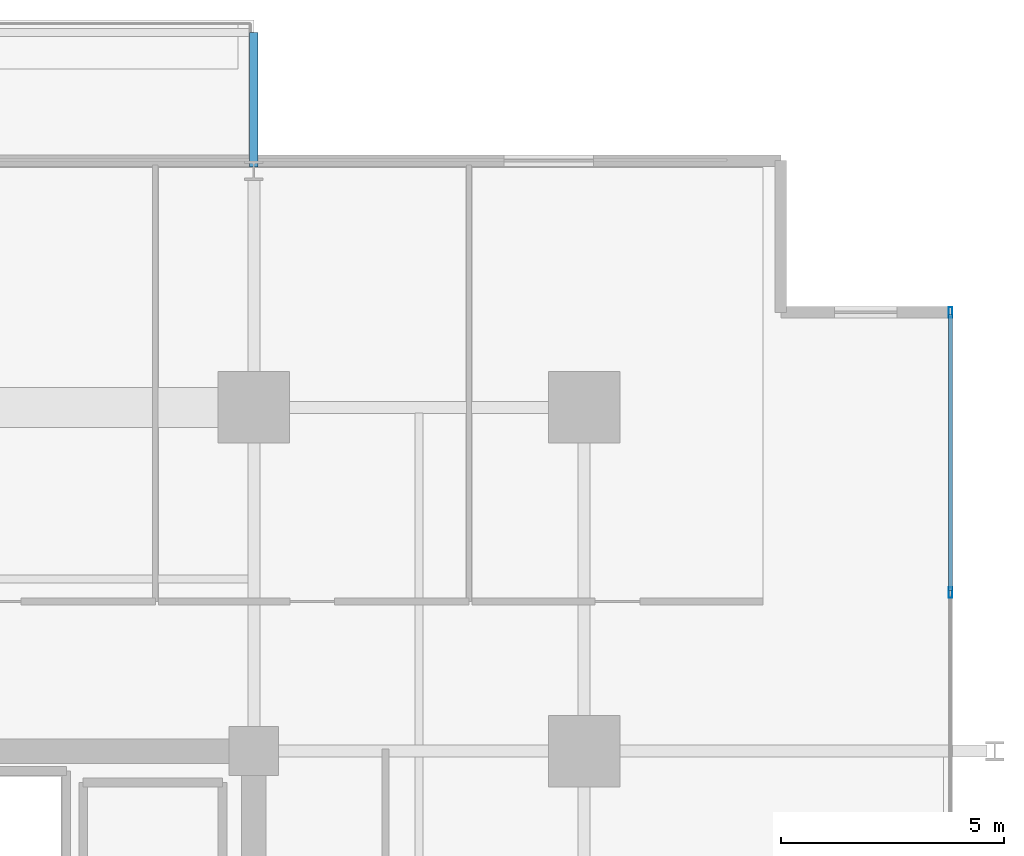
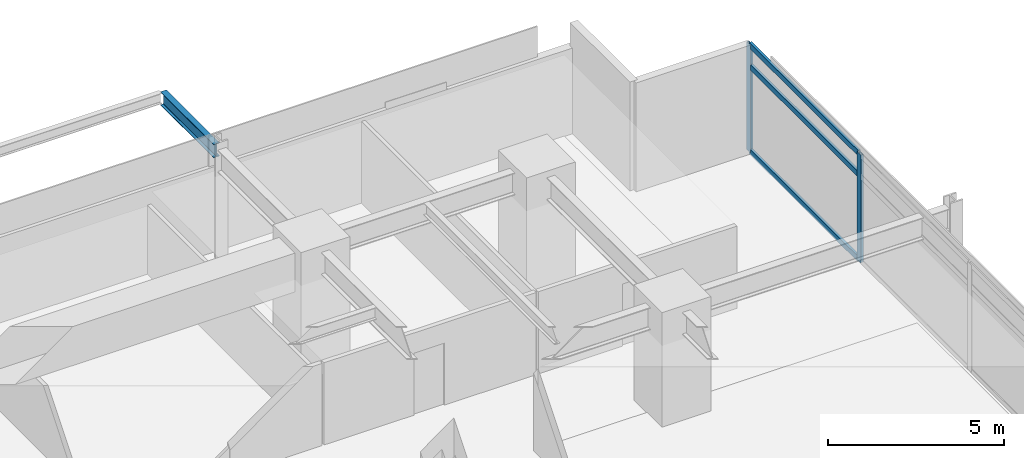
# One storey, part 12 of 21: 5 members, 1 beam, 1 element without a shape of its own.
"""IFC4 building model written with IfcOpenShell, lengths in metres."""

from ifc_helpers import new_model, si_unit, direction, frame, origin, origin_2d, place, context, subcontext, project, spatial, hollow_rectangle, i_section, extrude, material, material_profile, profile_set, type_object, element, aggregate, save


model = new_model("IFC4")

# Units and contexts
model_context = context("Model", 3, precision=1e-05, world=origin(), true_north=direction((0.0, 1.0)))
body_context = subcontext(model_context, "Body", "Model", "MODEL_VIEW")
ifc_project = project(units=[si_unit("LENGTHUNIT", "METRE"), si_unit("AREAUNIT", "SQUARE_METRE"), si_unit("VOLUMEUNIT", "CUBIC_METRE"), si_unit("PLANEANGLEUNIT", "RADIAN"), si_unit("MASSUNIT", "GRAM", prefix="KILO")], contexts=[model_context])

# Site, building, storey
site_placement = place(None, origin())
site = spatial("IfcSite", under=ifc_project, at=site_placement, CompositionType="ELEMENT")
building_placement = place(site_placement, origin())
building = spatial("IfcBuilding", under=site, at=building_placement, Name="Kovane Verandah Tower", CompositionType="ELEMENT")
storey_placement = place(building_placement, frame((0.0, 0.0, 152.39990234375)))
storey = spatial("IfcBuildingStorey", under=building, at=storey_placement, Name="L35", CompositionType="ELEMENT", Elevation=152.39990234375)

# Curtain wall, members
ifc_material_1 = material(Name="Champagne Anodised Aluminium Frame with Low-E Clear Laminated Glass", Category="aluminium")
curtain_wall_type = type_object("IfcCurtainWallType", Name="CW-SYS-03-MID", PredefinedType="NOTDEFINED", material=ifc_material_1)
curtain_wall_placement = place(storey_placement, origin())
curtain_wall = element("IfcCurtainWall", 1, at=curtain_wall_placement, inside=storey, type_object=curtain_wall_type, Name="L35 E Unitised Curtain Wall", PredefinedType="NOTDEFINED")
ifc_material_2 = material(Name="Champagne Anodised Aluminium 6063-T6", Category="aluminium")
ifc_material_profile_1 = material_profile(ifc_material_2, hollow_rectangle(XDim=0.0849609375, YDim=0.22998046875, WallThickness=0.00390625, at=origin_2d()), Name="AL85x230x4")
ifc_profile_set_1 = profile_set([ifc_material_profile_1], Name="Champagne Anodised Aluminium 6063-T6")
member_type_1 = type_object("IfcMemberType", Name="CW-MUL-85x230", PredefinedType="MULLION", material=ifc_profile_set_1)
member_1_placement = place(storey_placement, frame((66.60595703125, 40.051513671875, 0.02001953125), z_axis=(0.0, 0.0, 1.0), x_axis=(1.0, 0.0, 0.0)))
member_1 = element("IfcMember", 2, at=member_1_placement, type_object=member_type_1, Name="L35 E Unitised Curtain Wall Mullion 6", PredefinedType="MULLION", context=body_context, shape_type="SweptSolid", body=[
    extrude(hollow_rectangle(XDim=0.0849609375, YDim=0.22998046875, WallThickness=0.00390625, at=origin_2d()), origin(), (0.0, 0.0, 1.0), 3.735107421875),
])
member_2_placement = place(storey_placement, frame((66.60595703125, 46.3271484375, 0.02001953125), z_axis=(0.0, 0.0, 1.0), x_axis=(1.0, 0.0, 0.0)))
member_2 = element("IfcMember", 3, at=member_2_placement, type_object=member_type_1, Name="L35 E Unitised Curtain Wall Mullion 7", PredefinedType="MULLION", context=body_context, shape_type="SweptSolid", body=[
    extrude(hollow_rectangle(XDim=0.0849609375, YDim=0.22998046875, WallThickness=0.00390625, at=origin_2d()), origin(), (0.0, 0.0, 1.0), 3.735107421875),
])
ifc_material_profile_2 = material_profile(ifc_material_2, hollow_rectangle(XDim=0.0849609375, YDim=0.18994140625, WallThickness=0.00390625, at=origin_2d()), Name="AL85x190x4")
ifc_profile_set_2 = profile_set([ifc_material_profile_2], Name="Champagne Anodised Aluminium 6063-T6")
member_type_2 = type_object("IfcMemberType", Name="CW-TRN-85x190", PredefinedType="USERDEFINED", material=ifc_profile_set_2)
member_3_placement = place(storey_placement, frame((66.60595703125, 40.1015625, 0.050048828125), z_axis=(0.0, 1.0, 0.0), x_axis=(-1.0, 0.0, 0.0)))
member_3 = element("IfcMember", 4, at=member_3_placement, type_object=member_type_2, Name="L35 E Unitised Curtain Wall Transom TB Bay 6", ObjectType="TRANSOM", PredefinedType="USERDEFINED", context=body_context, shape_type="SweptSolid", body=[
    extrude(hollow_rectangle(XDim=0.0849609375, YDim=0.18994140625, WallThickness=0.00390625, at=origin_2d()), origin(), (0.0, 0.0, 1.0), 6.175537109375),
])
member_4_placement = place(storey_placement, frame((66.60595703125, 40.1015625, 2.9951171875), z_axis=(0.0, 1.0, 0.0), x_axis=(-1.0, 0.0, 0.0)))
member_4 = element("IfcMember", 5, at=member_4_placement, type_object=member_type_2, Name="L35 E Unitised Curtain Wall Transom TM Bay 6", ObjectType="TRANSOM", PredefinedType="USERDEFINED", context=body_context, shape_type="SweptSolid", body=[
    extrude(hollow_rectangle(XDim=0.0849609375, YDim=0.18994140625, WallThickness=0.00390625, at=origin_2d()), origin(), (0.0, 0.0, 1.0), 6.175537109375),
])
member_5_placement = place(storey_placement, frame((66.60595703125, 40.1015625, 3.72509765625), z_axis=(0.0, 1.0, 0.0), x_axis=(-1.0, 0.0, 0.0)))
member_5 = element("IfcMember", 6, at=member_5_placement, type_object=member_type_2, Name="L35 E Unitised Curtain Wall Transom TT Bay 6", ObjectType="TRANSOM", PredefinedType="USERDEFINED", context=body_context, shape_type="SweptSolid", body=[
    extrude(hollow_rectangle(XDim=0.0849609375, YDim=0.18994140625, WallThickness=0.00390625, at=origin_2d()), origin(), (0.0, 0.0, 1.0), 6.175537109375),
])
aggregate(curtain_wall, [member_1, member_2, member_3, member_4, member_5])

# Beam
ifc_material_3 = material(Name="Steel S355", Category="steel")
ifc_material_profile_3 = material_profile(ifc_material_3, i_section(OverallWidth=0.19287109375, OverallDepth=0.46728515625, WebThickness=0.011474609375, FlangeThickness=0.01953125, FilletRadius=0.01025390625, at=origin_2d()), Name="UB457x191x98")
ifc_profile_set_3 = profile_set([ifc_material_profile_3], Name="Steel S355")
beam_type = type_object("IfcBeamType", Name="JST-UB457x98", PredefinedType="JOIST", material=ifc_profile_set_3)
beam_placement = place(storey_placement, frame((51.0, 49.580078125, 3.526611328125), z_axis=(0.0, 1.0, 0.0), x_axis=(-1.0, 0.0, 0.0)))
element("IfcBeam", 7, at=beam_placement, inside=storey, type_object=beam_type, Name="L35 North Planter Girder 2", PredefinedType="JOIST", context=body_context, shape_type="SweptSolid", body=[
    extrude(i_section(OverallWidth=0.19287109375, OverallDepth=0.46728515625, WebThickness=0.011474609375, FlangeThickness=0.01953125, FilletRadius=0.01025390625, at=origin_2d()), origin(), (0.0, 0.0, 1.0), 3.01611328125),
])

save(model, "model.ifc")
